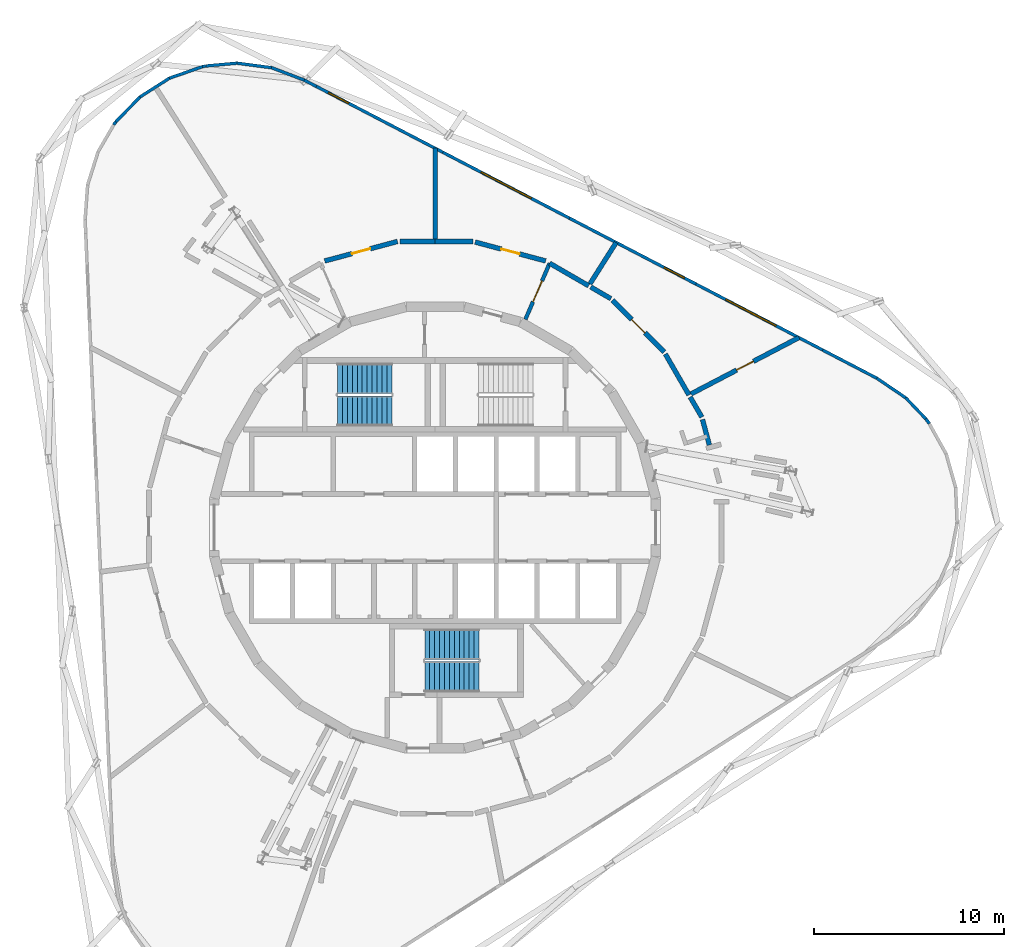
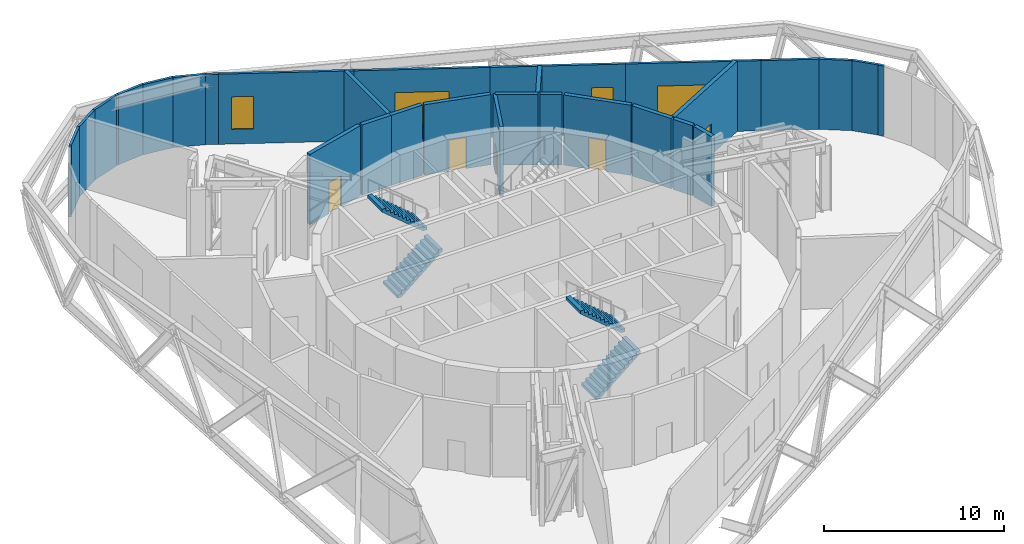
# One storey, part 10 of 12: 31 walls, 5 doors, 4 stair flights, 4 windows, 9 openings, 2 elements without a shape of their own.
"""IFC4 building model written with IfcOpenShell, lengths in metres."""

from ifc_helpers import new_model, si_unit, direction, frame, frame_2d, origin, place, context, subcontext, project, spatial, polyline, rectangle, outline, extrude, material, layer, layer_set, type_object, element, fill, aggregate, save


model = new_model("IFC4")

# Units and contexts
model_context = context("Model", 3, precision=1e-05, world=origin(), true_north=direction((0.0, 1.0)))
body_context = subcontext(model_context, "Body", "Model", "MODEL_VIEW")
ifc_project = project(units=[si_unit("LENGTHUNIT", "METRE"), si_unit("AREAUNIT", "SQUARE_METRE"), si_unit("VOLUMEUNIT", "CUBIC_METRE"), si_unit("PLANEANGLEUNIT", "RADIAN"), si_unit("MASSUNIT", "GRAM", prefix="KILO")], contexts=[model_context])

# Site, building, storey
site_placement = place(None, origin())
site = spatial("IfcSite", under=ifc_project, at=site_placement, CompositionType="ELEMENT")
building_placement = place(site_placement, origin())
building = spatial("IfcBuilding", under=site, at=building_placement, Name="Spindle Arch Residences", CompositionType="ELEMENT")
storey_placement = place(building_placement, frame((0.0, 0.0, 258.199951171875)))
storey = spatial("IfcBuildingStorey", under=building, at=storey_placement, Name="L66", CompositionType="ELEMENT", Elevation=258.199951171875)

# Walls
ifc_material_1 = material(Name="Non-combustible mineral wool insulated aluminium faced external wall (K0)", Category="aluminium")
ifc_layer_1 = layer(ifc_material_1, 0.159912109375)
ifc_layer_set_1 = layer_set([ifc_layer_1], Name="Insulated external wall panel 160")
wall_type_1 = type_object("IfcWallType", Name="Insulated external wall panel 160", PredefinedType="STANDARD", material=ifc_layer_set_1)
wall_1_placement = place(storey_placement, frame((26.072509765625, 5.492431640625, 0.0), z_axis=(0.0, 0.0, 1.0), x_axis=(-0.601113450899, 0.799163699844, 0.0)))
element("IfcWall", 1, at=wall_1_placement, inside=storey, type_object=wall_type_1, Name="Plant wall L66 bay 4.5", PredefinedType="STANDARD", context=body_context, shape_type="SweptSolid", body=[
    extrude(rectangle(XDim=0.315673828125, YDim=0.159912109375, at=frame_2d((0.15771484375, 0.0))), origin(), (0.0, 0.0, 1.0), 4.75),
])
wall_2_placement = place(storey_placement, frame((25.8828125, 5.74462890625, 0.0), z_axis=(0.0, 0.0, 1.0), x_axis=(-0.690013213635, 0.723796770515, 0.0)))
element("IfcWall", 2, at=wall_2_placement, inside=storey, type_object=wall_type_1, Name="Plant wall L66 bay 5.1", PredefinedType="STANDARD", context=body_context, shape_type="SweptSolid", body=[
    extrude(rectangle(XDim=1.531982421875, YDim=0.159912109375, at=frame_2d((0.76611328125, 0.0))), origin(), (0.0, 0.0, 1.0), 4.75),
])
wall_3_placement = place(storey_placement, frame((24.83203125, 6.847900390625, 0.0), z_axis=(0.0, 0.0, 1.0), x_axis=(-0.82733964769, 0.561701973791, 0.0)))
element("IfcWall", 3, at=wall_3_placement, inside=storey, type_object=wall_type_1, Name="Plant wall L66 bay 5.2", PredefinedType="STANDARD", context=body_context, shape_type="SweptSolid", body=[
    extrude(rectangle(XDim=1.845458984375, YDim=0.159912109375, at=frame_2d((0.9228515625, 0.0))), origin(), (0.0, 0.0, 1.0), 4.75),
])
wall_4_placement = place(storey_placement, frame((23.30908203125, 7.882080078125, 0.0), z_axis=(0.0, 0.0, 1.0), x_axis=(-0.887023709697, 0.461723876831, 0.0)))
element("IfcWall", 4, at=wall_4_placement, inside=storey, type_object=wall_type_1, Name="Plant wall L66 bay 5.3", PredefinedType="STANDARD", context=body_context, shape_type="SweptSolid", body=[
    extrude(rectangle(XDim=3.230712890625, YDim=0.159912109375, at=frame_2d((1.615234375, 0.0))), origin(), (0.0, 0.0, 1.0), 4.75),
])

# Wall, opening, window
wall_5_placement = place(storey_placement, frame((20.443359375, 9.373779296875, 0.0), z_axis=(0.0, 0.0, 1.0), x_axis=(-0.88700649569, 0.461756945377, 0.0)))
wall_5 = element("IfcWall", 5, at=wall_5_placement, inside=storey, type_object=wall_type_1, Name="Plant wall L66 bay 6", PredefinedType="STANDARD", context=body_context, shape_type="SweptSolid", body=[
    extrude(rectangle(XDim=7.530029296875, YDim=0.159912109375, at=frame_2d((3.76513671875, 0.0))), origin(), (0.0, 0.0, 1.0), 4.75),
])
opening_1_placement = place(wall_5_placement, frame((2.762939453125, 0.0, 1.0)))
opening_1 = element("IfcOpeningElement", 6, at=opening_1_placement, cuts=wall_5, Name="Opening LW1", PredefinedType="OPENING", context=body_context, shape_type="SweptSolid", body=[
    extrude(rectangle(XDim=3.0, YDim=2.199951171875, at=frame_2d((1.5, 1.10009765625))), frame((0.0, 0.08984375, 0.0), z_axis=(0.0, -1.0, 0.0), x_axis=(1.0, 0.0, 0.0)), (0.0, 0.0, 1.0), 0.179931640625),
])
ifc_material_2 = material(Name="Bronze anodised aluminium fixed louvre", Category="aluminium")
window_type_1 = type_object("IfcWindowType", Name="Plant louvre opening 3000x2200", PartitioningType="SINGLE_PANEL", PredefinedType="WINDOW", material=ifc_material_2)
window_1_placement = place(opening_1_placement, origin())
window_1 = element("IfcWindow", 7, at=window_1_placement, inside=storey, type_object=window_type_1, Name="Louvre opening L66 bay 6.1", OverallHeight=2.199951171875, OverallWidth=3.0, PartitioningType="SINGLE_PANEL", PredefinedType="WINDOW", context=body_context, shape_type="SweptSolid", body=[
    extrude(rectangle(XDim=3.0, YDim=2.199951171875, at=frame_2d((1.5, 1.10009765625))), frame((0.0, 0.030029296875, 0.0), z_axis=(0.0, -1.0, 0.0), x_axis=(1.0, 0.0, 0.0)), (0.0, 0.0, 1.0), 0.06005859375),
])
fill(opening_1, window_1)

wall_6_placement = place(storey_placement, frame((13.76416015625, 12.850830078125, 0.0), z_axis=(0.0, 0.0, 1.0), x_axis=(-0.887013408436, 0.461743666177, 0.0)))
wall_6 = element("IfcWall", 8, at=wall_6_placement, inside=storey, type_object=wall_type_1, Name="Plant wall L66 bay 7", PredefinedType="STANDARD", context=body_context, shape_type="SweptSolid", body=[
    extrude(rectangle(XDim=7.5302734375, YDim=0.159912109375, at=frame_2d((3.76513671875, 0.0))), origin(), (0.0, 0.0, 1.0), 4.75),
])
opening_2_placement = place(wall_6_placement, frame((0.6962890625, 0.0, 1.0)))
opening_2 = element("IfcOpeningElement", 9, at=opening_2_placement, cuts=wall_6, Name="Opening LW4", PredefinedType="OPENING", context=body_context, shape_type="SweptSolid", body=[
    extrude(rectangle(XDim=1.199951171875, YDim=2.199951171875, at=frame_2d((0.60009765625, 1.10009765625))), frame((0.0, 0.08984375, 0.0), z_axis=(0.0, -1.0, 0.0), x_axis=(1.0, 0.0, 0.0)), (0.0, 0.0, 1.0), 0.179931640625),
])
ifc_material_3 = material(Name="Bronze anodised aluminium fixed louvre", Category="aluminium")
window_type_2 = type_object("IfcWindowType", Name="Plant louvre opening 1200x2200", PartitioningType="SINGLE_PANEL", PredefinedType="WINDOW", material=ifc_material_3)
window_2_placement = place(opening_2_placement, origin())
window_2 = element("IfcWindow", 10, at=window_2_placement, inside=storey, type_object=window_type_2, Name="Louvre opening L66 bay 7.1", OverallHeight=2.199951171875, OverallWidth=1.199951171875, PartitioningType="SINGLE_PANEL", PredefinedType="WINDOW", context=body_context, shape_type="SweptSolid", body=[
    extrude(rectangle(XDim=1.199951171875, YDim=2.199951171875, at=frame_2d((0.60009765625, 1.10009765625))), frame((0.0, 0.030029296875, 0.0), z_axis=(0.0, -1.0, 0.0), x_axis=(1.0, 0.0, 0.0)), (0.0, 0.0, 1.0), 0.06005859375),
])
fill(opening_2, window_2)

wall_7_placement = place(storey_placement, frame((7.084716796875, 16.327880859375, 0.0), z_axis=(0.0, 0.0, 1.0), x_axis=(-0.887019775052, 0.46173143565, 0.0)))
wall_7 = element("IfcWall", 11, at=wall_7_placement, inside=storey, type_object=wall_type_1, Name="Plant wall L66 bay 8", PredefinedType="STANDARD", context=body_context, shape_type="SweptSolid", body=[
    extrude(rectangle(XDim=7.530029296875, YDim=0.159912109375, at=frame_2d((3.76513671875, 0.0))), origin(), (0.0, 0.0, 1.0), 4.75),
])
opening_3_placement = place(wall_7_placement, frame((2.264892578125, 0.0, 1.0)))
opening_3 = element("IfcOpeningElement", 12, at=opening_3_placement, cuts=wall_7, Name="Opening LW1", PredefinedType="OPENING", context=body_context, shape_type="SweptSolid", body=[
    extrude(rectangle(XDim=3.0, YDim=2.199951171875, at=frame_2d((1.5, 1.10009765625))), frame((0.0, 0.08984375, 0.0), z_axis=(0.0, -1.0, 0.0), x_axis=(1.0, 0.0, 0.0)), (0.0, 0.0, 1.0), 0.179931640625),
])
window_3_placement = place(opening_3_placement, origin())
window_3 = element("IfcWindow", 13, at=window_3_placement, inside=storey, type_object=window_type_1, Name="Louvre opening L66 bay 8.1", OverallHeight=2.199951171875, OverallWidth=3.0, PartitioningType="SINGLE_PANEL", PredefinedType="WINDOW", context=body_context, shape_type="SweptSolid", body=[
    extrude(rectangle(XDim=3.0, YDim=2.199951171875, at=frame_2d((1.5, 1.10009765625))), frame((0.0, 0.030029296875, 0.0), z_axis=(0.0, -1.0, 0.0), x_axis=(1.0, 0.0, 0.0)), (0.0, 0.0, 1.0), 0.06005859375),
])
fill(opening_3, window_3)

wall_8_placement = place(storey_placement, frame((0.405517578125, 19.8046875, 0.0), z_axis=(0.0, 0.0, 1.0), x_axis=(-0.88700649569, 0.461756945377, 0.0)))
wall_8 = element("IfcWall", 14, at=wall_8_placement, inside=storey, type_object=wall_type_1, Name="Plant wall L66 bay 9", PredefinedType="STANDARD", context=body_context, shape_type="SweptSolid", body=[
    extrude(rectangle(XDim=7.530029296875, YDim=0.159912109375, at=frame_2d((3.76513671875, 0.0))), origin(), (0.0, 0.0, 1.0), 4.75),
])
opening_4_placement = place(wall_8_placement, frame((5.59814453125, 0.0, 1.0)))
opening_4 = element("IfcOpeningElement", 15, at=opening_4_placement, cuts=wall_8, Name="Opening LW4", PredefinedType="OPENING", context=body_context, shape_type="SweptSolid", body=[
    extrude(rectangle(XDim=1.199951171875, YDim=2.199951171875, at=frame_2d((0.60009765625, 1.10009765625))), frame((0.0, 0.08984375, 0.0), z_axis=(0.0, -1.0, 0.0), x_axis=(1.0, 0.0, 0.0)), (0.0, 0.0, 1.0), 0.179931640625),
])
window_4_placement = place(opening_4_placement, origin())
window_4 = element("IfcWindow", 16, at=window_4_placement, inside=storey, type_object=window_type_2, Name="Louvre opening L66 bay 9.1", OverallHeight=2.199951171875, OverallWidth=1.199951171875, PartitioningType="SINGLE_PANEL", PredefinedType="WINDOW", context=body_context, shape_type="SweptSolid", body=[
    extrude(rectangle(XDim=1.199951171875, YDim=2.199951171875, at=frame_2d((0.60009765625, 1.10009765625))), frame((0.0, 0.030029296875, 0.0), z_axis=(0.0, -1.0, 0.0), x_axis=(1.0, 0.0, 0.0)), (0.0, 0.0, 1.0), 0.06005859375),
])
fill(opening_4, window_4)

# Walls
wall_9_placement = place(storey_placement, frame((-6.273681640625, 23.28173828125, 0.0), z_axis=(0.0, 0.0, 1.0), x_axis=(-0.887061476856, 0.461651314607, 0.0)))
element("IfcWall", 17, at=wall_9_placement, inside=storey, type_object=wall_type_1, Name="Plant wall L66 bay 10.1", PredefinedType="STANDARD", context=body_context, shape_type="SweptSolid", body=[
    extrude(rectangle(XDim=0.720703125, YDim=0.159912109375, at=frame_2d((0.3603515625, 0.0))), origin(), (0.0, 0.0, 1.0), 4.75),
])
wall_10_placement = place(storey_placement, frame((-6.90869140625, 23.61279296875, 0.0), z_axis=(0.0, 0.0, 1.0), x_axis=(-0.934628033196, 0.355626826272, 0.0)))
element("IfcWall", 18, at=wall_10_placement, inside=storey, type_object=wall_type_1, Name="Plant wall L66 bay 10.2", PredefinedType="STANDARD", context=body_context, shape_type="SweptSolid", body=[
    extrude(rectangle(XDim=1.845947265625, YDim=0.159912109375, at=frame_2d((0.9228515625, 0.0))), origin(), (0.0, 0.0, 1.0), 4.75),
])
wall_11_placement = place(storey_placement, frame((-8.625, 24.266845703125, 0.0), z_axis=(0.0, 0.0, 1.0), x_axis=(-0.991428647281, 0.130649291427, 0.0)))
element("IfcWall", 19, at=wall_11_placement, inside=storey, type_object=wall_type_1, Name="Plant wall L66 bay 10.3", PredefinedType="STANDARD", context=body_context, shape_type="SweptSolid", body=[
    extrude(rectangle(XDim=1.84814453125, YDim=0.159912109375, at=frame_2d((0.924072265625, 0.0))), origin(), (0.0, 0.0, 1.0), 4.75),
])
wall_12_placement = place(storey_placement, frame((-10.448486328125, 24.508056640625, 0.0), z_axis=(0.0, 0.0, 1.0), x_axis=(-0.995950985293, -0.089897913736, 0.0)))
element("IfcWall", 20, at=wall_12_placement, inside=storey, type_object=wall_type_1, Name="Plant wall L66 bay 10.4", PredefinedType="STANDARD", context=body_context, shape_type="SweptSolid", body=[
    extrude(rectangle(XDim=1.656494140625, YDim=0.159912109375, at=frame_2d((0.828125, 0.0))), origin(), (0.0, 0.0, 1.0), 4.75),
])
wall_13_placement = place(storey_placement, frame((-12.098388671875, 24.359130859375, 0.0), z_axis=(0.0, 0.0, 1.0), x_axis=(-0.978969744076, -0.204005490574, 0.0)))
element("IfcWall", 21, at=wall_13_placement, inside=storey, type_object=wall_type_1, Name="Plant wall L66 bay 11.1", PredefinedType="STANDARD", context=body_context, shape_type="SweptSolid", body=[
    extrude(rectangle(XDim=0.190185546875, YDim=0.159912109375, at=frame_2d((0.09521484375, 0.0))), origin(), (0.0, 0.0, 1.0), 4.75),
])
wall_14_placement = place(storey_placement, frame((-12.27978515625, 24.321533203125, 0.0), z_axis=(0.0, 0.0, 1.0), x_axis=(-0.944559218064, -0.328341108561, 0.0)))
element("IfcWall", 22, at=wall_14_placement, inside=storey, type_object=wall_type_1, Name="Plant wall L66 bay 11.2", PredefinedType="STANDARD", context=body_context, shape_type="SweptSolid", body=[
    extrude(rectangle(XDim=1.84619140625, YDim=0.159912109375, at=frame_2d((0.923095703125, 0.0))), origin(), (0.0, 0.0, 1.0), 4.75),
])
wall_15_placement = place(storey_placement, frame((-14.01513671875, 23.719482421875, 0.0), z_axis=(0.0, 0.0, 1.0), x_axis=(-0.843373106488, -0.537328394236, 0.0)))
element("IfcWall", 23, at=wall_15_placement, inside=storey, type_object=wall_type_1, Name="Plant wall L66 bay 11.3", PredefinedType="STANDARD", context=body_context, shape_type="SweptSolid", body=[
    extrude(rectangle(XDim=1.848388671875, YDim=0.159912109375, at=frame_2d((0.92431640625, 0.0))), origin(), (0.0, 0.0, 1.0), 4.75),
])
wall_16_placement = place(storey_placement, frame((-15.56689453125, 22.732177734375, 0.0), z_axis=(0.0, 0.0, 1.0), x_axis=(-0.696715693366, -0.71734736538, 0.0)))
element("IfcWall", 24, at=wall_16_placement, inside=storey, type_object=wall_type_1, Name="Plant wall L66 bay 11.4", PredefinedType="STANDARD", context=body_context, shape_type="SweptSolid", body=[
    extrude(rectangle(XDim=1.845947265625, YDim=0.159912109375, at=frame_2d((0.9228515625, 0.0))), origin(), (0.0, 0.0, 1.0), 4.75),
])
wall_17_placement = place(storey_placement, frame((-16.849853515625, 21.411865234375, 0.0), z_axis=(0.0, 0.0, 1.0), x_axis=(-0.599178539895, -0.800615436605, 0.0)))
element("IfcWall", 25, at=wall_17_placement, inside=storey, type_object=wall_type_1, Name="Plant wall L66 bay 11.5", PredefinedType="STANDARD", context=body_context, shape_type="SweptSolid", body=[
    extrude(rectangle(XDim=0.190185546875, YDim=0.159912109375, at=frame_2d((0.09521484375, 0.0))), origin(), (0.0, 0.0, 1.0), 4.75),
])

# Wall, opening, door
ifc_material_4 = material(Name="Concrete C25/30 wall", Category="concrete")
ifc_layer_2 = layer(ifc_material_4, 0.25)
ifc_layer_set_2 = layer_set([ifc_layer_2], Name="Partition EI 120 250 plant")
wall_type_2 = type_object("IfcWallType", Name="Partition EI 120 250 plant", PredefinedType="PARTITIONING", material=ifc_layer_set_2)
wall_18_placement = place(storey_placement, frame((-1.989990234375, 15.10009765625, 0.0), z_axis=(0.0, 0.0, 1.0), x_axis=(-0.965857829358, -0.259072679895, 0.0)))
wall_18 = element("IfcWall", 26, at=wall_18_placement, inside=storey, type_object=wall_type_2, Name="L66-W040", PredefinedType="PARTITIONING", context=body_context, shape_type="SweptSolid", body=[
    extrude(rectangle(XDim=3.975830078125, YDim=0.25, at=frame_2d((1.98779296875, 0.0))), origin(), (0.0, 0.0, 1.0), 4.75),
])
opening_5_placement = place(wall_18_placement, frame((1.48779296875, 0.0, 0.0)))
opening_5 = element("IfcOpeningElement", 27, at=opening_5_placement, cuts=wall_18, Name="Opening L66-D10", PredefinedType="OPENING", context=body_context, shape_type="SweptSolid", body=[
    extrude(rectangle(XDim=1.0, YDim=2.10009765625, at=frame_2d((0.5, 1.050048828125))), frame((0.0, 0.135009765625, 0.0), z_axis=(0.0, -1.0, 0.0), x_axis=(1.0, 0.0, 0.0)), (0.0, 0.0, 1.0), 0.27001953125),
])
ifc_material_5 = material(Name="Steel door leaf, painted", Category="steel")
door_type_1 = type_object("IfcDoorType", Name="Door 1000x2100 EI 60", OperationType="SINGLE_SWING_LEFT", PredefinedType="DOOR", material=ifc_material_5)
door_1_placement = place(opening_5_placement, origin())
door_1 = element("IfcDoor", 28, at=door_1_placement, inside=storey, type_object=door_type_1, Name="L66-D10", OperationType="SINGLE_SWING_LEFT", OverallHeight=2.10009765625, OverallWidth=1.0, PredefinedType="DOOR", context=body_context, shape_type="SweptSolid", body=[
    extrude(rectangle(XDim=1.0, YDim=2.10009765625, at=frame_2d((0.5, 1.050048828125))), frame((0.0, 0.02490234375, 0.0), z_axis=(0.0, -1.0, 0.0), x_axis=(1.0, 0.0, 0.0)), (0.0, 0.0, 1.0), 0.050048828125),
])
fill(opening_5, door_1)

# Walls
wall_19_placement = place(storey_placement, frame((0.0, 15.10009765625, 0.0), z_axis=(0.0, 0.0, 1.0), x_axis=(-1.0, 0.0, 0.0)))
element("IfcWall", 29, at=wall_19_placement, inside=storey, type_object=wall_type_2, Name="L66-W041", PredefinedType="PARTITIONING", context=body_context, shape_type="SweptSolid", body=[
    extrude(rectangle(XDim=1.864990234375, YDim=0.25, at=frame_2d((0.9326171875, 0.0))), origin(), (0.0, 0.0, 1.0), 4.75),
])
wall_20_placement = place(storey_placement, frame((0.0, 15.22509765625, 0.0), z_axis=(0.0, 0.0, 1.0), x_axis=(0.0, 1.0, 0.0)))
element("IfcWall", 30, at=wall_20_placement, inside=storey, type_object=wall_type_2, Name="L66-W042", PredefinedType="PARTITIONING", context=body_context, shape_type="SweptSolid", body=[
    extrude(rectangle(XDim=4.804931640625, YDim=0.25, at=frame_2d((2.40234375, 0.0))), origin(), (0.0, 0.0, 1.0), 4.75),
])
wall_21_placement = place(storey_placement, frame((1.989990234375, 15.10009765625, 0.0), z_axis=(0.0, 0.0, 1.0), x_axis=(-1.0, 0.0, 0.0)))
element("IfcWall", 31, at=wall_21_placement, inside=storey, type_object=wall_type_2, Name="L66-W044", PredefinedType="PARTITIONING", context=body_context, shape_type="SweptSolid", body=[
    extrude(rectangle(XDim=1.989990234375, YDim=0.25, at=frame_2d((0.9951171875, 0.0))), origin(), (0.0, 0.0, 1.0), 4.75),
])

# Wall, opening, door
wall_22_placement = place(storey_placement, frame((5.830078125, 14.070068359375, 0.0), z_axis=(0.0, 0.0, 1.0), x_axis=(-0.965861411942, 0.259059323171, 0.0)))
wall_22 = element("IfcWall", 32, at=wall_22_placement, inside=storey, type_object=wall_type_2, Name="L66-W050", PredefinedType="PARTITIONING", context=body_context, shape_type="SweptSolid", body=[
    extrude(rectangle(XDim=3.8505859375, YDim=0.25, at=frame_2d((1.92529296875, 0.0))), origin(), (0.0, 0.0, 1.0), 4.75),
])
opening_6_placement = place(wall_22_placement, frame((1.42529296875, 0.0, 0.0)))
opening_6 = element("IfcOpeningElement", 33, at=opening_6_placement, cuts=wall_22, Name="Opening L66-D09", PredefinedType="OPENING", context=body_context, shape_type="SweptSolid", body=[
    extrude(rectangle(XDim=1.0, YDim=2.10009765625, at=frame_2d((0.5, 1.050048828125))), frame((0.0, 0.135009765625, 0.0), z_axis=(0.0, -1.0, 0.0), x_axis=(1.0, 0.0, 0.0)), (0.0, 0.0, 1.0), 0.27001953125),
])
door_2_placement = place(opening_6_placement, origin())
door_2 = element("IfcDoor", 34, at=door_2_placement, inside=storey, type_object=door_type_1, Name="L66-D09", OperationType="SINGLE_SWING_LEFT", OverallHeight=2.10009765625, OverallWidth=1.0, PredefinedType="DOOR", context=body_context, shape_type="SweptSolid", body=[
    extrude(rectangle(XDim=1.0, YDim=2.10009765625, at=frame_2d((0.5, 1.050048828125))), frame((0.0, 0.02490234375, 0.0), z_axis=(0.0, -1.0, 0.0), x_axis=(1.0, 0.0, 0.0)), (0.0, 0.0, 1.0), 0.050048828125),
])
fill(opening_6, door_2)

# Walls
wall_23_placement = place(storey_placement, frame((6.0400390625, 13.949951171875, 0.0), z_axis=(0.0, 0.0, 1.0), x_axis=(0.865922362496, -0.500178430292, 0.0)))
element("IfcWall", 35, at=wall_23_placement, inside=storey, type_object=wall_type_2, Name="L66-W051", PredefinedType="PARTITIONING", context=body_context, shape_type="SweptSolid", body=[
    extrude(rectangle(XDim=2.379150390625, YDim=0.25, at=frame_2d((1.189453125, 0.0))), origin(), (0.0, 0.0, 1.0), 4.75),
])
wall_24_placement = place(storey_placement, frame((14.070068359375, 5.830078125, 0.0), z_axis=(0.0, 0.0, 1.0), x_axis=(-0.502547897079, 0.864549368828, 0.0)))
element("IfcWall", 36, at=wall_24_placement, inside=storey, type_object=wall_type_2, Name="L66-W062", PredefinedType="PARTITIONING", context=body_context, shape_type="SweptSolid", body=[
    extrude(rectangle(XDim=1.22802734375, YDim=0.25, at=frame_2d((0.614013671875, 0.0))), origin(), (0.0, 0.0, 1.0), 4.75),
])
wall_25_placement = place(storey_placement, frame((14.465087890625, 4.361328125, 0.0), z_axis=(0.0, 0.0, 1.0), x_axis=(-0.259741378437, 0.965678215726, 0.0)))
element("IfcWall", 37, at=wall_25_placement, inside=storey, type_object=wall_type_2, Name="L66-W064", PredefinedType="PARTITIONING", context=body_context, shape_type="SweptSolid", body=[
    extrude(rectangle(XDim=1.395751953125, YDim=0.25, at=frame_2d((0.69775390625, 0.0))), origin(), (0.0, 0.0, 1.0), 4.75),
])

# Wall, opening, door
ifc_material_6 = material(Name="Gypsum board partition on steel studs", Category="steel")
ifc_layer_3 = layer(ifc_material_6, 0.199951171875)
ifc_layer_set_3 = layer_set([ifc_layer_3], Name="Partition EI 60 200 amenity")
wall_type_3 = type_object("IfcWallType", Name="Partition EI 60 200 amenity", PredefinedType="PARTITIONING", material=ifc_layer_set_3)
wall_26_placement = place(storey_placement, frame((4.760009765625, 10.989990234375, 0.0), z_axis=(0.0, 0.0, 1.0), x_axis=(0.396905977672, 0.917859272922, 0.0)))
wall_26 = element("IfcWall", 38, at=wall_26_placement, inside=storey, type_object=wall_type_3, Name="L66-W048", PredefinedType="PARTITIONING", context=body_context, shape_type="SweptSolid", body=[
    extrude(rectangle(XDim=3.223876953125, YDim=0.199951171875, at=frame_2d((1.61181640625, 0.0))), origin(), (0.0, 0.0, 1.0), 4.75),
])
opening_7_placement = place(wall_26_placement, frame((1.011962890625, 0.0, 0.0)))
opening_7 = element("IfcOpeningElement", 39, at=opening_7_placement, cuts=wall_26, Name="Opening L66-D14", PredefinedType="OPENING", context=body_context, shape_type="SweptSolid", body=[
    extrude(rectangle(XDim=1.199951171875, YDim=2.10009765625, at=frame_2d((0.60009765625, 1.050048828125))), frame((0.0, 0.10986328125, 0.0), z_axis=(0.0, -1.0, 0.0), x_axis=(1.0, 0.0, 0.0)), (0.0, 0.0, 1.0), 0.219970703125),
])
ifc_material_7 = material(Name="Steel door leaf, painted", Category="steel")
door_type_2 = type_object("IfcDoorType", Name="Door 1200x2100 EI 60", OperationType="SINGLE_SWING_LEFT", PredefinedType="DOOR", material=ifc_material_7)
door_3_placement = place(opening_7_placement, origin())
door_3 = element("IfcDoor", 40, at=door_3_placement, inside=storey, type_object=door_type_2, Name="L66-D14", OperationType="SINGLE_SWING_LEFT", OverallHeight=2.10009765625, OverallWidth=1.199951171875, PredefinedType="DOOR", context=body_context, shape_type="SweptSolid", body=[
    extrude(rectangle(XDim=1.199951171875, YDim=2.10009765625, at=frame_2d((0.60009765625, 1.050048828125))), frame((0.0, 0.02490234375, 0.0), z_axis=(0.0, -1.0, 0.0), x_axis=(1.0, 0.0, 0.0)), (0.0, 0.0, 1.0), 0.050048828125),
])
fill(opening_7, door_3)

# Walls
ifc_material_8 = material(Name="Concrete C25/30 wall", Category="concrete")
ifc_layer_4 = layer(ifc_material_8, 0.25)
ifc_layer_set_4 = layer_set([ifc_layer_4], Name="Partition REI 120 250 refuge")
wall_type_4 = type_object("IfcWallType", Name="Partition REI 120 250 refuge", PredefinedType="PARTITIONING", material=ifc_layer_set_4)
wall_27_placement = place(storey_placement, frame((8.1669921875, 12.865478515625, 0.0), z_axis=(0.0, 0.0, 1.0), x_axis=(0.535428337452, 0.844580662491, 0.0)))
element("IfcWall", 41, at=wall_27_placement, inside=storey, type_object=wall_type_4, Name="L66-W052", PredefinedType="PARTITIONING", context=body_context, shape_type="SweptSolid", body=[
    extrude(rectangle(XDim=2.57763671875, YDim=0.25, at=frame_2d((1.288818359375, 0.0))), origin(), (0.0, 0.0, 1.0), 4.75),
])
wall_28_placement = place(storey_placement, frame((9.27001953125, 12.080078125, 0.0), z_axis=(0.0, 0.0, 1.0), x_axis=(-0.864599561852, 0.502461538474, 0.0)))
element("IfcWall", 42, at=wall_28_placement, inside=storey, type_object=wall_type_4, Name="L66-W054", PredefinedType="PARTITIONING", context=body_context, shape_type="SweptSolid", body=[
    extrude(rectangle(XDim=1.228271484375, YDim=0.25, at=frame_2d((0.6142578125, 0.0))), origin(), (0.0, 0.0, 1.0), 4.75),
])

# Wall, opening, door
wall_29_placement = place(storey_placement, frame((12.080078125, 9.27001953125, 0.0), z_axis=(0.0, 0.0, 1.0), x_axis=(-0.707106781187, 0.707106781187, 0.0)))
wall_29 = element("IfcWall", 43, at=wall_29_placement, inside=storey, type_object=wall_type_4, Name="L66-W056", PredefinedType="PARTITIONING", context=body_context, shape_type="SweptSolid", body=[
    extrude(rectangle(XDim=3.84912109375, YDim=0.25, at=frame_2d((1.924560546875, 0.0))), origin(), (0.0, 0.0, 1.0), 4.75),
])
opening_8_placement = place(wall_29_placement, frame((1.424560546875, 0.0, 0.0)))
opening_8 = element("IfcOpeningElement", 44, at=opening_8_placement, cuts=wall_29, Name="Opening L66-D07", PredefinedType="OPENING", context=body_context, shape_type="SweptSolid", body=[
    extrude(rectangle(XDim=1.0, YDim=2.10009765625, at=frame_2d((0.5, 1.050048828125))), frame((0.0, 0.135009765625, 0.0), z_axis=(0.0, -1.0, 0.0), x_axis=(1.0, 0.0, 0.0)), (0.0, 0.0, 1.0), 0.27001953125),
])
door_4_placement = place(opening_8_placement, origin())
door_4 = element("IfcDoor", 45, at=door_4_placement, inside=storey, type_object=door_type_1, Name="L66-D07", OperationType="SINGLE_SWING_LEFT", OverallHeight=2.10009765625, OverallWidth=1.0, PredefinedType="DOOR", context=body_context, shape_type="SweptSolid", body=[
    extrude(rectangle(XDim=1.0, YDim=2.10009765625, at=frame_2d((0.5, 1.050048828125))), frame((0.0, 0.02490234375, 0.0), z_axis=(0.0, -1.0, 0.0), x_axis=(1.0, 0.0, 0.0)), (0.0, 0.0, 1.0), 0.050048828125),
])
fill(opening_8, door_4)

# Wall
wall_30_placement = place(storey_placement, frame((13.389892578125, 7.0, 0.0), z_axis=(0.0, 0.0, 1.0), x_axis=(-0.499790202325, 0.86614649665, 0.0)))
element("IfcWall", 46, at=wall_30_placement, inside=storey, type_object=wall_type_4, Name="L66-W058", PredefinedType="PARTITIONING", context=body_context, shape_type="SweptSolid", body=[
    extrude(rectangle(XDim=2.49560546875, YDim=0.25, at=frame_2d((1.247802734375, 0.0))), origin(), (0.0, 0.0, 1.0), 4.75),
])

# Wall, opening, door
wall_31_placement = place(storey_placement, frame((19.198974609375, 10.032958984375, 0.0), z_axis=(0.0, 0.0, 1.0), x_axis=(-0.886450722397, -0.462822986424, 0.0)))
wall_31 = element("IfcWall", 47, at=wall_31_placement, inside=storey, type_object=wall_type_4, Name="L66-W071", PredefinedType="PARTITIONING", context=body_context, shape_type="SweptSolid", body=[
    extrude(rectangle(XDim=6.42822265625, YDim=0.25, at=frame_2d((3.214111328125, 0.0))), origin(), (0.0, 0.0, 1.0), 4.75),
])
opening_9_placement = place(wall_31_placement, frame((2.714111328125, 0.0, 0.0)))
opening_9 = element("IfcOpeningElement", 48, at=opening_9_placement, cuts=wall_31, Name="Opening L66-D05", PredefinedType="OPENING", context=body_context, shape_type="SweptSolid", body=[
    extrude(rectangle(XDim=1.0, YDim=2.10009765625, at=frame_2d((0.5, 1.050048828125))), frame((0.0, 0.135009765625, 0.0), z_axis=(0.0, -1.0, 0.0), x_axis=(1.0, 0.0, 0.0)), (0.0, 0.0, 1.0), 0.27001953125),
])
door_5_placement = place(opening_9_placement, origin())
door_5 = element("IfcDoor", 49, at=door_5_placement, inside=storey, type_object=door_type_1, Name="L66-D05", OperationType="SINGLE_SWING_LEFT", OverallHeight=2.10009765625, OverallWidth=1.0, PredefinedType="DOOR", context=body_context, shape_type="SweptSolid", body=[
    extrude(rectangle(XDim=1.0, YDim=2.10009765625, at=frame_2d((0.5, 1.050048828125))), frame((0.0, 0.02490234375, 0.0), z_axis=(0.0, -1.0, 0.0), x_axis=(1.0, 0.0, 0.0)), (0.0, 0.0, 1.0), 0.050048828125),
])
fill(opening_9, door_5)

# Stair, stair flights
ifc_material_9 = material(Name="Concrete C50/60", Category="concrete")
stair_type = type_object("IfcStairType", Name="Exit stair 24 risers", PredefinedType="HALF_TURN_STAIR", material=ifc_material_9)
stair_1_placement = place(storey_placement, origin())
stair_1 = element("IfcStair", 50, at=stair_1_placement, inside=storey, type_object=stair_type, Name="L66 Exit stair ST2", PredefinedType="HALF_TURN_STAIR")
ifc_material_10 = material(Name="Concrete C50/60", Category="concrete")
stair_flight_type = type_object("IfcStairFlightType", Name="Exit stair flight", PredefinedType="STRAIGHT", material=ifc_material_10)
stair_flight_1_placement = place(storey_placement, frame((-5.14990234375, 6.14990234375, 0.0), z_axis=(0.0, 0.0, 1.0), x_axis=(1.0, 0.0, 0.0)))
stair_flight_1 = element("IfcStairFlight", 51, at=stair_flight_1_placement, type_object=stair_flight_type, Name="ST2 flight 1", NumberOfRisers=12, NumberOfTreads=11, PredefinedType="STRAIGHT", RiserHeight=0.216666667, TreadLength=0.26, context=body_context, shape_type="SweptSolid", body=[
    extrude(outline(polyline([(0.0, 0.0), (0.0, 0.216552734375), (0.260009765625, 0.216552734375), (0.260009765625, 0.433349609375), (0.52001953125, 0.433349609375), (0.52001953125, 0.64990234375), (0.780029296875, 0.64990234375), (0.780029296875, 0.86669921875), (1.0400390625, 0.86669921875), (1.0400390625, 1.083251953125), (1.300048828125, 1.083251953125), (1.300048828125, 1.300048828125), (1.56005859375, 1.300048828125), (1.56005859375, 1.5166015625), (1.820068359375, 1.5166015625), (1.820068359375, 1.7333984375), (2.080078125, 1.7333984375), (2.080078125, 1.949951171875), (2.340087890625, 1.949951171875), (2.340087890625, 2.166748046875), (2.60009765625, 2.166748046875), (2.60009765625, 2.38330078125), (2.860107421875, 2.38330078125), (2.860107421875, 2.60009765625), (2.860107421875, 2.188232421875), (0.234130859375, 0.0), (0.0, 0.0)])), frame((0.0, 0.800048828125, 0.0), z_axis=(0.0, -1.0, 0.0), x_axis=(1.0, 0.0, 0.0)), (0.0, 0.0, 1.0), 1.60009765625),
])
stair_flight_2_placement = place(storey_placement, frame((-2.2900390625, 7.8701171875, 2.60009765625), z_axis=(0.0, 0.0, 1.0), x_axis=(-1.0, 0.0, 0.0)))
stair_flight_2 = element("IfcStairFlight", 52, at=stair_flight_2_placement, type_object=stair_flight_type, Name="ST2 flight 2", NumberOfRisers=12, NumberOfTreads=11, PredefinedType="STRAIGHT", RiserHeight=0.216666667, TreadLength=0.26, context=body_context, shape_type="SweptSolid", body=[
    extrude(outline(polyline([(0.0, 0.0), (0.0, 0.216552734375), (0.260009765625, 0.216552734375), (0.260009765625, 0.433349609375), (0.52001953125, 0.433349609375), (0.52001953125, 0.64990234375), (0.780029296875, 0.64990234375), (0.780029296875, 0.86669921875), (1.0400390625, 0.86669921875), (1.0400390625, 1.083251953125), (1.300048828125, 1.083251953125), (1.300048828125, 1.300048828125), (1.56005859375, 1.300048828125), (1.56005859375, 1.5166015625), (1.820068359375, 1.5166015625), (1.820068359375, 1.7333984375), (2.080078125, 1.7333984375), (2.080078125, 1.949951171875), (2.340087890625, 1.949951171875), (2.340087890625, 2.166748046875), (2.60009765625, 2.166748046875), (2.60009765625, 2.38330078125), (2.860107421875, 2.38330078125), (2.860107421875, 2.60009765625), (2.860107421875, 2.188232421875), (0.234130859375, 0.0), (0.0, 0.0)])), frame((0.0, 0.800048828125, 0.0), z_axis=(0.0, -1.0, 0.0), x_axis=(1.0, 0.0, 0.0)), (0.0, 0.0, 1.0), 1.60009765625),
])
aggregate(stair_1, [stair_flight_1, stair_flight_2])

stair_2_placement = place(storey_placement, origin())
stair_2 = element("IfcStair", 53, at=stair_2_placement, inside=storey, type_object=stair_type, Name="L66 Exit stair ST3", PredefinedType="HALF_TURN_STAIR")
stair_flight_3_placement = place(storey_placement, frame((-0.550048828125, -7.8701171875, 0.0), z_axis=(0.0, 0.0, 1.0), x_axis=(1.0, 0.0, 0.0)))
stair_flight_3 = element("IfcStairFlight", 54, at=stair_flight_3_placement, type_object=stair_flight_type, Name="ST3 flight 1", NumberOfRisers=12, NumberOfTreads=11, PredefinedType="STRAIGHT", RiserHeight=0.216666667, TreadLength=0.26, context=body_context, shape_type="SweptSolid", body=[
    extrude(outline(polyline([(0.0, 0.0), (0.0, 0.216552734375), (0.260009765625, 0.216552734375), (0.260009765625, 0.433349609375), (0.52001953125, 0.433349609375), (0.52001953125, 0.64990234375), (0.780029296875, 0.64990234375), (0.780029296875, 0.86669921875), (1.0400390625, 0.86669921875), (1.0400390625, 1.083251953125), (1.300048828125, 1.083251953125), (1.300048828125, 1.300048828125), (1.56005859375, 1.300048828125), (1.56005859375, 1.5166015625), (1.820068359375, 1.5166015625), (1.820068359375, 1.7333984375), (2.080078125, 1.7333984375), (2.080078125, 1.949951171875), (2.340087890625, 1.949951171875), (2.340087890625, 2.166748046875), (2.60009765625, 2.166748046875), (2.60009765625, 2.38330078125), (2.860107421875, 2.38330078125), (2.860107421875, 2.60009765625), (2.860107421875, 2.188232421875), (0.234130859375, 0.0), (0.0, 0.0)])), frame((0.0, 0.800048828125, 0.0), z_axis=(0.0, -1.0, 0.0), x_axis=(1.0, 0.0, 0.0)), (0.0, 0.0, 1.0), 1.60009765625),
])
stair_flight_4_placement = place(storey_placement, frame((2.31005859375, -6.14990234375, 2.60009765625), z_axis=(0.0, 0.0, 1.0), x_axis=(-1.0, 0.0, 0.0)))
stair_flight_4 = element("IfcStairFlight", 55, at=stair_flight_4_placement, type_object=stair_flight_type, Name="ST3 flight 2", NumberOfRisers=12, NumberOfTreads=11, PredefinedType="STRAIGHT", RiserHeight=0.216666667, TreadLength=0.26, context=body_context, shape_type="SweptSolid", body=[
    extrude(outline(polyline([(0.0, 0.0), (0.0, 0.216552734375), (0.260009765625, 0.216552734375), (0.260009765625, 0.433349609375), (0.52001953125, 0.433349609375), (0.52001953125, 0.64990234375), (0.780029296875, 0.64990234375), (0.780029296875, 0.86669921875), (1.0400390625, 0.86669921875), (1.0400390625, 1.083251953125), (1.300048828125, 1.083251953125), (1.300048828125, 1.300048828125), (1.56005859375, 1.300048828125), (1.56005859375, 1.5166015625), (1.820068359375, 1.5166015625), (1.820068359375, 1.7333984375), (2.080078125, 1.7333984375), (2.080078125, 1.949951171875), (2.340087890625, 1.949951171875), (2.340087890625, 2.166748046875), (2.60009765625, 2.166748046875), (2.60009765625, 2.38330078125), (2.860107421875, 2.38330078125), (2.860107421875, 2.60009765625), (2.860107421875, 2.188232421875), (0.234130859375, 0.0), (0.0, 0.0)])), frame((0.0, 0.800048828125, 0.0), z_axis=(0.0, -1.0, 0.0), x_axis=(1.0, 0.0, 0.0)), (0.0, 0.0, 1.0), 1.60009765625),
])
aggregate(stair_2, [stair_flight_3, stair_flight_4])

save(model, "model.ifc")
